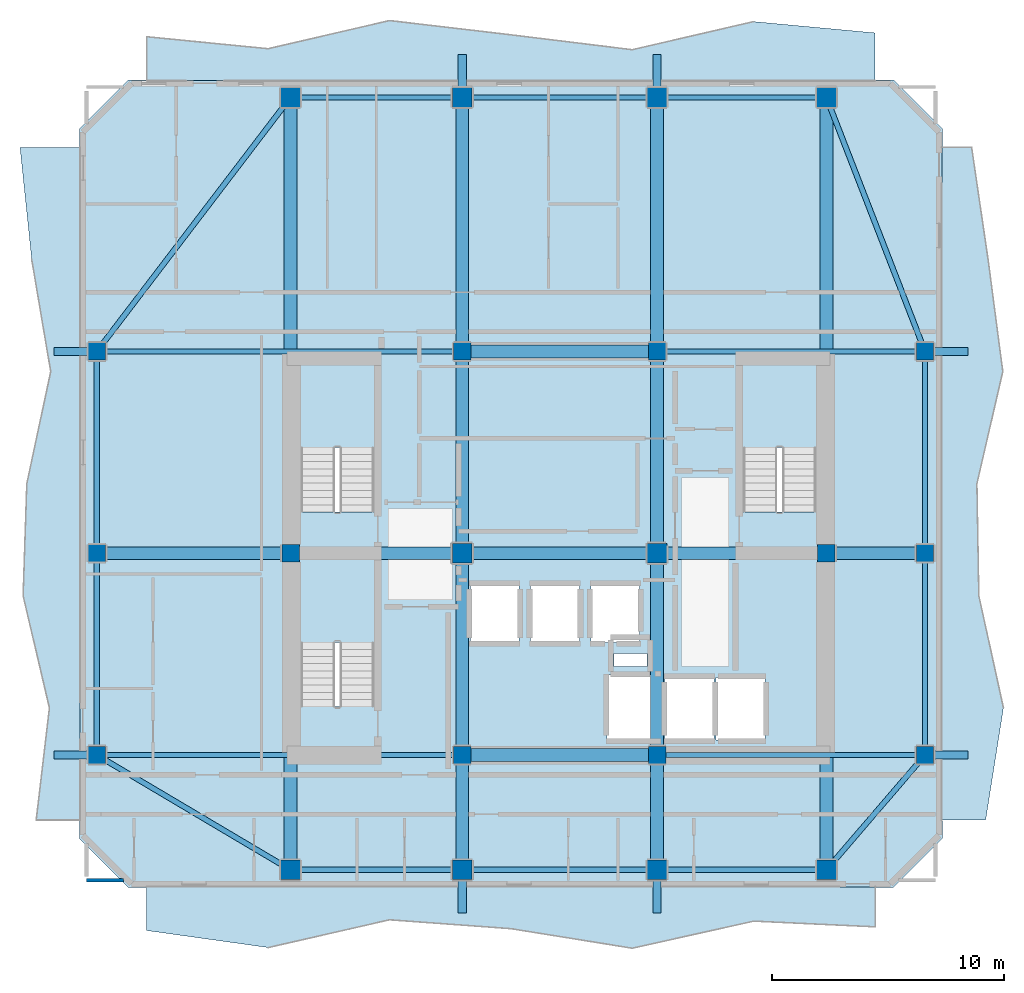
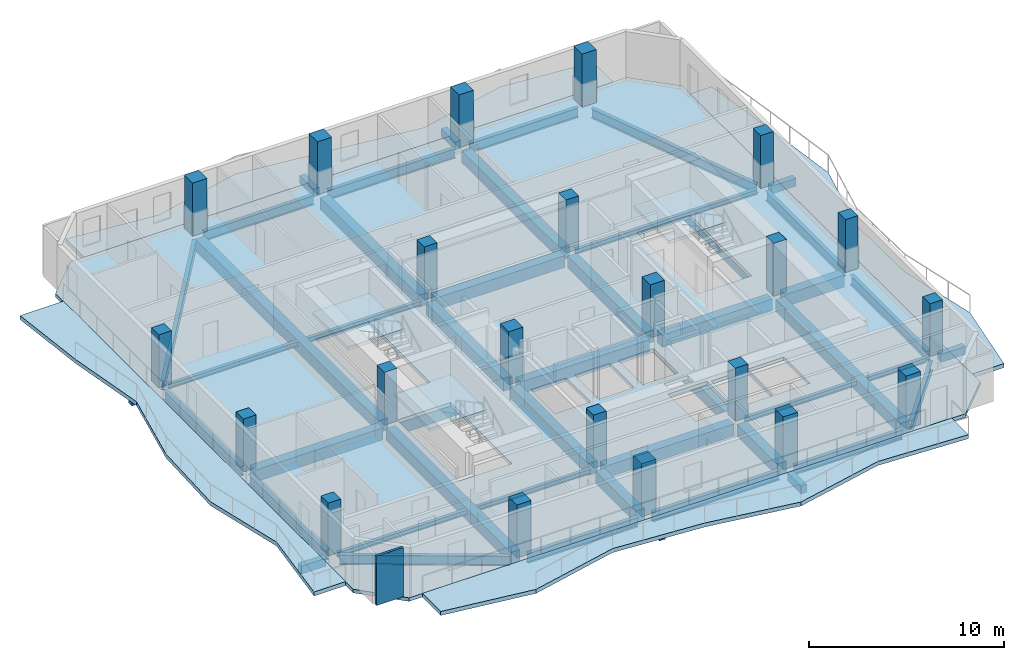
# One storey, part 1 of 10: 45 beams, 22 columns, 8 slabs, 1 wall, 3 elements without a shape of their own.
"""IFC4 building model written with IfcOpenShell, lengths in metres."""

from ifc_helpers import new_model, si_unit, direction, frame, frame_2d, origin, origin_2d, place, context, subcontext, project, spatial, polyline, rectangle, i_section, outline, extrude, material, layer, layer_set, material_profile, profile_set, type_object, element, aggregate, save


model = new_model("IFC4")

# Units and contexts
model_context = context("Model", 3, precision=1e-05, world=origin(), true_north=direction((0.0, 1.0)))
body_context = subcontext(model_context, "Body", "Model", "MODEL_VIEW")
ifc_project = project(units=[si_unit("LENGTHUNIT", "METRE"), si_unit("AREAUNIT", "SQUARE_METRE"), si_unit("VOLUMEUNIT", "CUBIC_METRE"), si_unit("PLANEANGLEUNIT", "RADIAN"), si_unit("MASSUNIT", "GRAM", prefix="KILO")], contexts=[model_context])

# Site, building, storey
site_placement = place(None, origin())
site = spatial("IfcSite", under=ifc_project, at=site_placement, CompositionType="ELEMENT")
building_placement = place(site_placement, origin())
building = spatial("IfcBuilding", under=site, at=building_placement, Name="Solanera Arch Residences", CompositionType="ELEMENT")
storey_placement = place(building_placement, frame((0.0, 0.0, 265.56005859375)))
storey = spatial("IfcBuildingStorey", under=building, at=storey_placement, Name="L77", CompositionType="ELEMENT", Elevation=265.56005859375)

# Columns
ifc_material_1 = material(Name="Concrete C40/50 (f'c = 45 MPa)", Category="concrete")
ifc_material_profile_1 = material_profile(ifc_material_1, rectangle(XDim=0.75, YDim=0.75, at=origin_2d()))
ifc_profile_set_1 = profile_set([ifc_material_profile_1], Name="Concrete C40/50 (f'c = 45 MPa)")
column_type_1 = type_object("IfcColumnType", Name="Structural Column RC-COL-750X750", PredefinedType="COLUMN", material=ifc_profile_set_1)
for number, where, z_axis, x_axis, name in (
    (1, (20.800048828125, 22.0, 0.0), (0.0, 0.0, 1.0), (1.0, 0.0, 0.0), "COL-L77-CB-SW"),
    (2, (29.199951171875, 22.0, 0.0), (0.0, 0.0, 1.0), (1.0, 0.0, 0.0), "COL-L77-CB-SE"),
    (3, (20.800048828125, 39.39990234375, 0.0), (0.0, 0.0, 1.0), (1.0, 0.0, 0.0), "COL-L77-CB-NW"),
    (4, (29.199951171875, 39.39990234375, 0.0), (0.0, 0.0, 1.0), (1.0, 0.0, 0.0), "COL-L77-CB-NE"),
    (5, (13.39990234375, 30.699951171875, 0.0), (0.0, 0.0, 1.0), (1.0, 0.0, 0.0), "COL-L77-CB-WW"),
    (6, (36.5, 30.699951171875, 0.0), (0.0, 0.0, 1.0), (1.0, 0.0, 0.0), "COL-L77-CB-EE"),
    (7, (5.050048828125, 22.0, 0.0), (0.0, 0.0, 1.0), (1.0, 0.0, 0.0), "COL-L77-TWR-09"),
    (8, (40.75, 22.0, 0.0), (0.0, 0.0, 1.0), (1.0, 0.0, 0.0), "COL-L77-TWR-10"),
    (9, (5.050048828125, 30.699951171875, 0.0), (0.0, 0.0, 1.0), (1.0, 0.0, 0.0), "COL-L77-TWR-11"),
    (10, (40.75, 30.699951171875, 0.0), (0.0, 0.0, 1.0), (1.0, 0.0, 0.0), "COL-L77-TWR-12"),
    (11, (5.050048828125, 39.39990234375, 0.0), (0.0, 0.0, 1.0), (1.0, 0.0, 0.0), "COL-L77-TWR-13"),
    (12, (40.75, 39.39990234375, 0.0), (0.0, 0.0, 1.0), (1.0, 0.0, 0.0), "COL-L77-TWR-14"),
):
    element("IfcColumn", number, at=place(storey_placement, frame(where, z_axis=z_axis, x_axis=x_axis)), inside=storey, type_object=column_type_1, Name=name, PredefinedType="COLUMN", context=body_context, shape_type="SweptSolid", body=[
        extrude(rectangle(XDim=0.75, YDim=0.75, at=origin_2d()), origin(), (0.0, 0.0, 1.0), 3.31982421875),
    ])
ifc_material_2 = material(Name="Concrete C40/50 (f'c = 45 MPa)", Category="concrete")
ifc_material_profile_2 = material_profile(ifc_material_2, rectangle(XDim=0.85009765625, YDim=0.85009765625, at=origin_2d()))
ifc_profile_set_2 = profile_set([ifc_material_profile_2], Name="Concrete C40/50 (f'c = 45 MPa)")
column_type_2 = type_object("IfcColumnType", Name="Structural Column RC-COL-850X850", PredefinedType="COLUMN", material=ifc_profile_set_2)
for number, where, z_axis, x_axis, name in (
    (13, (20.800048828125, 30.699951171875, 0.0), (0.0, 0.0, 1.0), (1.0, 0.0, 0.0), "COL-L77-CORE-W"),
    (14, (29.199951171875, 30.699951171875, 0.0), (0.0, 0.0, 1.0), (1.0, 0.0, 0.0), "COL-L77-CORE-E"),
    (15, (13.39990234375, 17.050048828125, 0.0), (0.0, 0.0, 1.0), (1.0, 0.0, 0.0), "COL-L77-TWR-01"),
    (16, (13.39990234375, 50.35009765625, 0.0), (0.0, 0.0, 1.0), (1.0, 0.0, 0.0), "COL-L77-TWR-02"),
    (17, (20.800048828125, 17.050048828125, 0.0), (0.0, 0.0, 1.0), (1.0, 0.0, 0.0), "COL-L77-TWR-03"),
    (18, (20.800048828125, 50.35009765625, 0.0), (0.0, 0.0, 1.0), (1.0, 0.0, 0.0), "COL-L77-TWR-04"),
    (19, (29.199951171875, 17.050048828125, 0.0), (0.0, 0.0, 1.0), (1.0, 0.0, 0.0), "COL-L77-TWR-05"),
    (20, (29.199951171875, 50.35009765625, 0.0), (0.0, 0.0, 1.0), (1.0, 0.0, 0.0), "COL-L77-TWR-06"),
    (21, (36.5, 17.050048828125, 0.0), (0.0, 0.0, 1.0), (1.0, 0.0, 0.0), "COL-L77-TWR-07"),
    (22, (36.5, 50.35009765625, 0.0), (0.0, 0.0, 1.0), (1.0, 0.0, 0.0), "COL-L77-TWR-08"),
):
    element("IfcColumn", number, at=place(storey_placement, frame(where, z_axis=z_axis, x_axis=x_axis)), inside=storey, type_object=column_type_2, Name=name, PredefinedType="COLUMN", context=body_context, shape_type="SweptSolid", body=[
        extrude(rectangle(XDim=0.85009765625, YDim=0.85009765625, at=origin_2d()), origin(), (0.0, 0.0, 1.0), 3.31982421875),
    ])

# Beams
ifc_material_3 = material(Name="Concrete C40/50 (f'c = 45 MPa)", Category="concrete")
ifc_material_profile_3 = material_profile(ifc_material_3, rectangle(XDim=0.35009765625, YDim=0.5, at=origin_2d()))
ifc_profile_set_3 = profile_set([ifc_material_profile_3], Name="Concrete C40/50 (f'c = 45 MPa)")
beam_type_1 = type_object("IfcBeamType", Name="BM-BALC-RIB", PredefinedType="BEAM", material=ifc_profile_set_3)
for number, where, z_axis, x_axis, name in (
    (23, (20.800048828125, 15.199951171875, -0.5), (0.0, 1.0, 0.0), (-1.0, 0.0, 0.0), "BM-L77-BRIB-S1"),
    (24, (29.199951171875, 15.199951171875, -0.5), (0.0, 1.0, 0.0), (-1.0, 0.0, 0.0), "BM-L77-BRIB-S2"),
    (25, (20.800048828125, 50.77490234375, -0.5), (0.0, 1.0, 0.0), (-1.0, 0.0, 0.0), "BM-L77-BRIB-N1"),
    (26, (29.199951171875, 50.77490234375, -0.5), (0.0, 1.0, 0.0), (-1.0, 0.0, 0.0), "BM-L77-BRIB-N2"),
):
    element("IfcBeam", number, at=place(storey_placement, frame(where, z_axis=z_axis, x_axis=x_axis)), inside=storey, type_object=beam_type_1, Name=name, PredefinedType="BEAM", context=body_context, shape_type="SweptSolid", body=[
        extrude(rectangle(XDim=0.35009765625, YDim=0.5, at=origin_2d()), origin(), (0.0, 0.0, 1.0), 1.425048828125),
    ])
for number, where, z_axis, x_axis, name in (
    (27, (41.125, 22.0, -0.5), (1.0, 0.0, 0.0), (0.0, 1.0, 0.0), "BM-L77-BRIB-E1"),
    (28, (41.125, 39.39990234375, -0.5), (1.0, 0.0, 0.0), (0.0, 1.0, 0.0), "BM-L77-BRIB-E2"),
    (29, (3.199951171875, 22.0, -0.5), (1.0, 0.0, 0.0), (0.0, 1.0, 0.0), "BM-L77-BRIB-W1"),
    (30, (3.199951171875, 39.39990234375, -0.5), (1.0, 0.0, 0.0), (0.0, 1.0, 0.0), "BM-L77-BRIB-W2"),
):
    element("IfcBeam", number, at=place(storey_placement, frame(where, z_axis=z_axis, x_axis=x_axis)), inside=storey, type_object=beam_type_1, Name=name, PredefinedType="BEAM", context=body_context, shape_type="SweptSolid", body=[
        extrude(rectangle(XDim=0.35009765625, YDim=0.5, at=origin_2d()), origin(), (0.0, 0.0, 1.0), 1.47509765625),
    ])
ifc_material_4 = material(Name="Concrete C40/50 (f'c = 45 MPa)", Category="concrete")
ifc_material_profile_4 = material_profile(ifc_material_4, rectangle(XDim=0.550048828125, YDim=0.75, at=origin_2d()))
ifc_profile_set_4 = profile_set([ifc_material_profile_4], Name="Concrete C40/50 (f'c = 45 MPa)")
beam_type_2 = type_object("IfcBeamType", Name="Primary Beam RC-BM-550X750", PredefinedType="BEAM", material=ifc_profile_set_4)
beam_1_placement = place(storey_placement, frame((20.800048828125, 22.37890625, -0.594970703125), z_axis=(0.0, 1.0, 0.0), x_axis=(-1.0, 0.0, 0.0)))
element("IfcBeam", 31, at=beam_1_placement, inside=storey, type_object=beam_type_2, Name="BM-L77-CC-S-208", PredefinedType="BEAM", context=body_context, shape_type="SweptSolid", body=[
    extrude(rectangle(XDim=0.550048828125, YDim=0.75, at=origin_2d()), origin(), (0.0, 0.0, 1.0), 7.942138671875),
])
beam_2_placement = place(storey_placement, frame((20.800048828125, 31.0791015625, -0.594970703125), z_axis=(0.0, 1.0, 0.0), x_axis=(-1.0, 0.0, 0.0)))
element("IfcBeam", 32, at=beam_2_placement, inside=storey, type_object=beam_type_2, Name="BM-L77-CC-N-208", PredefinedType="BEAM", context=body_context, shape_type="SweptSolid", body=[
    extrude(rectangle(XDim=0.550048828125, YDim=0.75, at=origin_2d()), origin(), (0.0, 0.0, 1.0), 7.94189453125),
])
beam_3_placement = place(storey_placement, frame((29.199951171875, 22.37890625, -0.594970703125), z_axis=(0.0, 1.0, 0.0), x_axis=(-1.0, 0.0, 0.0)))
element("IfcBeam", 33, at=beam_3_placement, inside=storey, type_object=beam_type_2, Name="BM-L77-CC-S-292", PredefinedType="BEAM", context=body_context, shape_type="SweptSolid", body=[
    extrude(rectangle(XDim=0.550048828125, YDim=0.75, at=origin_2d()), origin(), (0.0, 0.0, 1.0), 7.942138671875),
])
beam_4_placement = place(storey_placement, frame((29.199951171875, 31.0791015625, -0.594970703125), z_axis=(0.0, 1.0, 0.0), x_axis=(-1.0, 0.0, 0.0)))
element("IfcBeam", 34, at=beam_4_placement, inside=storey, type_object=beam_type_2, Name="BM-L77-CC-N-292", PredefinedType="BEAM", context=body_context, shape_type="SweptSolid", body=[
    extrude(rectangle(XDim=0.550048828125, YDim=0.75, at=origin_2d()), origin(), (0.0, 0.0, 1.0), 7.94189453125),
])
for number, where, z_axis, x_axis, name in (
    (35, (21.178955078125, 22.0, -0.594970703125), (1.0, 0.0, 0.0), (0.0, 1.0, 0.0), "BM-L77-CC-M-220"),
    (36, (21.178955078125, 30.699951171875, -0.594970703125), (1.0, 0.0, 0.0), (0.0, 1.0, 0.0), "BM-L77-CC-M-307"),
    (37, (21.178955078125, 39.39990234375, -0.594970703125), (1.0, 0.0, 0.0), (0.0, 1.0, 0.0), "BM-L77-CC-M-394"),
):
    element("IfcBeam", number, at=place(storey_placement, frame(where, z_axis=z_axis, x_axis=x_axis)), inside=storey, type_object=beam_type_2, Name=name, PredefinedType="BEAM", context=body_context, shape_type="SweptSolid", body=[
        extrude(rectangle(XDim=0.550048828125, YDim=0.75, at=origin_2d()), origin(), (0.0, 0.0, 1.0), 7.64208984375),
    ])
beam_5_placement = place(storey_placement, frame((13.779052734375, 30.699951171875, -0.594970703125), z_axis=(1.0, 0.0, 0.0), x_axis=(0.0, 1.0, 0.0)))
element("IfcBeam", 38, at=beam_5_placement, inside=storey, type_object=beam_type_2, Name="BM-L77-CC-W", PredefinedType="BEAM", context=body_context, shape_type="SweptSolid", body=[
    extrude(rectangle(XDim=0.550048828125, YDim=0.75, at=origin_2d()), origin(), (0.0, 0.0, 1.0), 6.641845703125),
])
beam_6_placement = place(storey_placement, frame((29.5791015625, 30.699951171875, -0.594970703125), z_axis=(1.0, 0.0, 0.0), x_axis=(0.0, 1.0, 0.0)))
element("IfcBeam", 39, at=beam_6_placement, inside=storey, type_object=beam_type_2, Name="BM-L77-CC-E", PredefinedType="BEAM", context=body_context, shape_type="SweptSolid", body=[
    extrude(rectangle(XDim=0.550048828125, YDim=0.75, at=origin_2d()), origin(), (0.0, 0.0, 1.0), 6.5419921875),
])
beam_7_placement = place(storey_placement, frame((20.800048828125, 17.47900390625, -0.594970703125), z_axis=(0.0, 1.0, 0.0), x_axis=(-1.0, 0.0, 0.0)))
element("IfcBeam", 40, at=beam_7_placement, inside=storey, type_object=beam_type_2, Name="BM-L77-RAD-S-208", PredefinedType="BEAM", context=body_context, shape_type="SweptSolid", body=[
    extrude(rectangle(XDim=0.550048828125, YDim=0.75, at=origin_2d()), origin(), (0.0, 0.0, 1.0), 4.14208984375),
])
beam_8_placement = place(storey_placement, frame((20.800048828125, 39.779052734375, -0.594970703125), z_axis=(0.0, 1.0, 0.0), x_axis=(-1.0, 0.0, 0.0)))
element("IfcBeam", 41, at=beam_8_placement, inside=storey, type_object=beam_type_2, Name="BM-L77-RAD-N-208", PredefinedType="BEAM", context=body_context, shape_type="SweptSolid", body=[
    extrude(rectangle(XDim=0.550048828125, YDim=0.75, at=origin_2d()), origin(), (0.0, 0.0, 1.0), 10.141845703125),
])
beam_9_placement = place(storey_placement, frame((29.199951171875, 17.47900390625, -0.594970703125), z_axis=(0.0, 1.0, 0.0), x_axis=(-1.0, 0.0, 0.0)))
element("IfcBeam", 42, at=beam_9_placement, inside=storey, type_object=beam_type_2, Name="BM-L77-RAD-S-292", PredefinedType="BEAM", context=body_context, shape_type="SweptSolid", body=[
    extrude(rectangle(XDim=0.550048828125, YDim=0.75, at=origin_2d()), origin(), (0.0, 0.0, 1.0), 4.14208984375),
])
beam_10_placement = place(storey_placement, frame((29.199951171875, 39.779052734375, -0.594970703125), z_axis=(0.0, 1.0, 0.0), x_axis=(-1.0, 0.0, 0.0)))
element("IfcBeam", 43, at=beam_10_placement, inside=storey, type_object=beam_type_2, Name="BM-L77-RAD-N-292", PredefinedType="BEAM", context=body_context, shape_type="SweptSolid", body=[
    extrude(rectangle(XDim=0.550048828125, YDim=0.75, at=origin_2d()), origin(), (0.0, 0.0, 1.0), 10.141845703125),
])
beam_11_placement = place(storey_placement, frame((13.39990234375, 17.47900390625, -0.594970703125), z_axis=(0.0, 1.0, 0.0), x_axis=(-1.0, 0.0, 0.0)))
element("IfcBeam", 44, at=beam_11_placement, inside=storey, type_object=beam_type_2, Name="BM-L77-RAD-OS-134", PredefinedType="BEAM", context=body_context, shape_type="SweptSolid", body=[
    extrude(rectangle(XDim=0.550048828125, YDim=0.75, at=origin_2d()), origin(), (0.0, 0.0, 1.0), 12.842041015625),
])
beam_12_placement = place(storey_placement, frame((13.39990234375, 31.0791015625, -0.594970703125), z_axis=(0.0, 1.0, 0.0), x_axis=(-1.0, 0.0, 0.0)))
element("IfcBeam", 45, at=beam_12_placement, inside=storey, type_object=beam_type_2, Name="BM-L77-RAD-ON-134", PredefinedType="BEAM", context=body_context, shape_type="SweptSolid", body=[
    extrude(rectangle(XDim=0.550048828125, YDim=0.75, at=origin_2d()), origin(), (0.0, 0.0, 1.0), 18.841796875),
])
beam_13_placement = place(storey_placement, frame((36.5, 17.47900390625, -0.594970703125), z_axis=(0.0, 1.0, 0.0), x_axis=(-1.0, 0.0, 0.0)))
element("IfcBeam", 46, at=beam_13_placement, inside=storey, type_object=beam_type_2, Name="BM-L77-RAD-OS-365", PredefinedType="BEAM", context=body_context, shape_type="SweptSolid", body=[
    extrude(rectangle(XDim=0.550048828125, YDim=0.75, at=origin_2d()), origin(), (0.0, 0.0, 1.0), 12.842041015625),
])
beam_14_placement = place(storey_placement, frame((36.5, 31.0791015625, -0.594970703125), z_axis=(0.0, 1.0, 0.0), x_axis=(-1.0, 0.0, 0.0)))
element("IfcBeam", 47, at=beam_14_placement, inside=storey, type_object=beam_type_2, Name="BM-L77-RAD-ON-365", PredefinedType="BEAM", context=body_context, shape_type="SweptSolid", body=[
    extrude(rectangle(XDim=0.550048828125, YDim=0.75, at=origin_2d()), origin(), (0.0, 0.0, 1.0), 18.841796875),
])
beam_15_placement = place(storey_placement, frame((5.428955078125, 30.699951171875, -0.594970703125), z_axis=(1.0, 0.0, 0.0), x_axis=(0.0, 1.0, 0.0)))
element("IfcBeam", 48, at=beam_15_placement, inside=storey, type_object=beam_type_2, Name="BM-L77-RAD-MW", PredefinedType="BEAM", context=body_context, shape_type="SweptSolid", body=[
    extrude(rectangle(XDim=0.550048828125, YDim=0.75, at=origin_2d()), origin(), (0.0, 0.0, 1.0), 7.592041015625),
])
beam_16_placement = place(storey_placement, frame((36.87890625, 30.699951171875, -0.594970703125), z_axis=(1.0, 0.0, 0.0), x_axis=(0.0, 1.0, 0.0)))
element("IfcBeam", 49, at=beam_16_placement, inside=storey, type_object=beam_type_2, Name="BM-L77-RAD-ME", PredefinedType="BEAM", context=body_context, shape_type="SweptSolid", body=[
    extrude(rectangle(XDim=0.550048828125, YDim=0.75, at=origin_2d()), origin(), (0.0, 0.0, 1.0), 3.4921875),
])
ifc_material_5 = material(Name="Steel S355 (ASTM A992 / A572 Grade 50)", Category="steel")
ifc_material_profile_5 = material_profile(ifc_material_5, i_section(OverallWidth=0.202880859375, OverallDepth=0.302978515625, WebThickness=0.007568359375, FlangeThickness=0.01318359375, at=origin_2d()))
ifc_profile_set_5 = profile_set([ifc_material_profile_5], Name="Steel S355 (ASTM A992 / A572 Grade 50)")
beam_type_3 = type_object("IfcBeamType", Name="Secondary Joist W310X60", PredefinedType="JOIST", material=ifc_profile_set_5)
beam_17_placement = place(storey_placement, frame((5.428955078125, 22.0, -0.3720703125), z_axis=(1.0, 0.0, 0.0), x_axis=(0.0, 1.0, 0.0)))
element("IfcBeam", 50, at=beam_17_placement, inside=storey, type_object=beam_type_3, Name="BM-L77-RAD-W-220", PredefinedType="JOIST", context=body_context, shape_type="SweptSolid", body=[
    extrude(i_section(OverallWidth=0.202880859375, OverallDepth=0.302978515625, WebThickness=0.007568359375, FlangeThickness=0.01318359375, at=origin_2d()), origin(), (0.0, 0.0, 1.0), 14.991943359375),
])
beam_18_placement = place(storey_placement, frame((29.5791015625, 22.0, -0.3720703125), z_axis=(1.0, 0.0, 0.0), x_axis=(0.0, 1.0, 0.0)))
element("IfcBeam", 51, at=beam_18_placement, inside=storey, type_object=beam_type_3, Name="BM-L77-RAD-E-220", PredefinedType="JOIST", context=body_context, shape_type="SweptSolid", body=[
    extrude(i_section(OverallWidth=0.202880859375, OverallDepth=0.302978515625, WebThickness=0.007568359375, FlangeThickness=0.01318359375, at=origin_2d()), origin(), (0.0, 0.0, 1.0), 10.7919921875),
])
beam_19_placement = place(storey_placement, frame((5.428955078125, 39.39990234375, -0.3720703125), z_axis=(1.0, 0.0, 0.0), x_axis=(0.0, 1.0, 0.0)))
element("IfcBeam", 52, at=beam_19_placement, inside=storey, type_object=beam_type_3, Name="BM-L77-RAD-W-394", PredefinedType="JOIST", context=body_context, shape_type="SweptSolid", body=[
    extrude(i_section(OverallWidth=0.202880859375, OverallDepth=0.302978515625, WebThickness=0.007568359375, FlangeThickness=0.01318359375, at=origin_2d()), origin(), (0.0, 0.0, 1.0), 14.991943359375),
])
beam_20_placement = place(storey_placement, frame((29.5791015625, 39.39990234375, -0.3720703125), z_axis=(1.0, 0.0, 0.0), x_axis=(0.0, 1.0, 0.0)))
element("IfcBeam", 53, at=beam_20_placement, inside=storey, type_object=beam_type_3, Name="BM-L77-RAD-E-394", PredefinedType="JOIST", context=body_context, shape_type="SweptSolid", body=[
    extrude(i_section(OverallWidth=0.202880859375, OverallDepth=0.302978515625, WebThickness=0.007568359375, FlangeThickness=0.01318359375, at=origin_2d()), origin(), (0.0, 0.0, 1.0), 10.7919921875),
])
ifc_material_6 = material(Name="Steel S355 (ASTM A992 / A572 Grade 50)", Category="steel")
ifc_material_profile_6 = material_profile(ifc_material_6, i_section(OverallWidth=0.22802734375, OverallDepth=0.60791015625, WebThickness=0.01123046875, FlangeThickness=0.017333984375, at=origin_2d()))
ifc_profile_set_6 = profile_set([ifc_material_profile_6], Name="Steel S355 (ASTM A992 / A572 Grade 50)")
beam_type_4 = type_object("IfcBeamType", Name="Spandrel Beam W610X113", PredefinedType="SPANDREL", material=ifc_profile_set_6)
for number, where, z_axis, x_axis, name in (
    (54, (13.8291015625, 17.050048828125, -0.524169921875), (1.0, 0.0, 0.0), (0.0, 1.0, 0.0), "BM-L77-SPN-S-1"),
    (55, (13.8291015625, 50.35009765625, -0.524169921875), (1.0, 0.0, 0.0), (0.0, 1.0, 0.0), "BM-L77-SPN-N-1"),
):
    element("IfcBeam", number, at=place(storey_placement, frame(where, z_axis=z_axis, x_axis=x_axis)), inside=storey, type_object=beam_type_4, Name=name, PredefinedType="SPANDREL", context=body_context, shape_type="SweptSolid", body=[
        extrude(i_section(OverallWidth=0.22802734375, OverallDepth=0.60791015625, WebThickness=0.01123046875, FlangeThickness=0.017333984375, at=origin_2d()), origin(), (0.0, 0.0, 1.0), 6.5419921875),
    ])
for number, where, z_axis, x_axis, name in (
    (56, (21.22900390625, 17.050048828125, -0.524169921875), (1.0, 0.0, 0.0), (0.0, 1.0, 0.0), "BM-L77-SPN-S-2"),
    (57, (21.22900390625, 50.35009765625, -0.524169921875), (1.0, 0.0, 0.0), (0.0, 1.0, 0.0), "BM-L77-SPN-N-2"),
):
    element("IfcBeam", number, at=place(storey_placement, frame(where, z_axis=z_axis, x_axis=x_axis)), inside=storey, type_object=beam_type_4, Name=name, PredefinedType="SPANDREL", context=body_context, shape_type="SweptSolid", body=[
        extrude(i_section(OverallWidth=0.22802734375, OverallDepth=0.60791015625, WebThickness=0.01123046875, FlangeThickness=0.017333984375, at=origin_2d()), origin(), (0.0, 0.0, 1.0), 7.5419921875),
    ])
for number, where, z_axis, x_axis, name in (
    (58, (29.62890625, 17.050048828125, -0.524169921875), (1.0, 0.0, 0.0), (0.0, 1.0, 0.0), "BM-L77-SPN-S-3"),
    (59, (29.62890625, 50.35009765625, -0.524169921875), (1.0, 0.0, 0.0), (0.0, 1.0, 0.0), "BM-L77-SPN-N-3"),
):
    element("IfcBeam", number, at=place(storey_placement, frame(where, z_axis=z_axis, x_axis=x_axis)), inside=storey, type_object=beam_type_4, Name=name, PredefinedType="SPANDREL", context=body_context, shape_type="SweptSolid", body=[
        extrude(i_section(OverallWidth=0.22802734375, OverallDepth=0.60791015625, WebThickness=0.01123046875, FlangeThickness=0.017333984375, at=origin_2d()), origin(), (0.0, 0.0, 1.0), 6.442138671875),
    ])
for number, where, z_axis, x_axis, name in (
    (60, (5.050048828125, 22.37890625, -0.524169921875), (0.0, 1.0, 0.0), (-1.0, 0.0, 0.0), "BM-L77-SPN-W-1"),
    (61, (40.75, 22.37890625, -0.524169921875), (0.0, 1.0, 0.0), (-1.0, 0.0, 0.0), "BM-L77-SPN-E-1"),
):
    element("IfcBeam", number, at=place(storey_placement, frame(where, z_axis=z_axis, x_axis=x_axis)), inside=storey, type_object=beam_type_4, Name=name, PredefinedType="SPANDREL", context=body_context, shape_type="SweptSolid", body=[
        extrude(i_section(OverallWidth=0.22802734375, OverallDepth=0.60791015625, WebThickness=0.01123046875, FlangeThickness=0.017333984375, at=origin_2d()), origin(), (0.0, 0.0, 1.0), 7.942138671875),
    ])
for number, where, z_axis, x_axis, name in (
    (62, (5.050048828125, 31.0791015625, -0.524169921875), (0.0, 1.0, 0.0), (-1.0, 0.0, 0.0), "BM-L77-SPN-W-2"),
    (63, (40.75, 31.0791015625, -0.524169921875), (0.0, 1.0, 0.0), (-1.0, 0.0, 0.0), "BM-L77-SPN-E-2"),
):
    element("IfcBeam", number, at=place(storey_placement, frame(where, z_axis=z_axis, x_axis=x_axis)), inside=storey, type_object=beam_type_4, Name=name, PredefinedType="SPANDREL", context=body_context, shape_type="SweptSolid", body=[
        extrude(i_section(OverallWidth=0.22802734375, OverallDepth=0.60791015625, WebThickness=0.01123046875, FlangeThickness=0.017333984375, at=origin_2d()), origin(), (0.0, 0.0, 1.0), 7.94189453125),
    ])
beam_21_placement = place(storey_placement, frame((12.971923828125, 17.303955078125, -0.524169921875), z_axis=(-0.860219624606, 0.509923717278, 0.0), x_axis=(-0.509923717278, -0.860219624606, 0.0)))
element("IfcBeam", 64, at=beam_21_placement, inside=storey, type_object=beam_type_4, Name="BM-L77-SPN-SW", PredefinedType="SPANDREL", context=body_context, shape_type="SweptSolid", body=[
    extrude(i_section(OverallWidth=0.22802734375, OverallDepth=0.60791015625, WebThickness=0.01123046875, FlangeThickness=0.017333984375, at=origin_2d()), origin(), (0.0, 0.0, 1.0), 8.769775390625),
])
beam_22_placement = place(storey_placement, frame((13.072998046875, 49.922119140625, -0.524169921875), z_axis=(-0.606356271812, -0.795193103362, 0.0), x_axis=(0.795193103362, -0.606356271812, 0.0)))
element("IfcBeam", 65, at=beam_22_placement, inside=storey, type_object=beam_type_4, Name="BM-L77-SPN-NW", PredefinedType="SPANDREL", context=body_context, shape_type="SweptSolid", body=[
    extrude(i_section(OverallWidth=0.22802734375, OverallDepth=0.60791015625, WebThickness=0.01123046875, FlangeThickness=0.017333984375, at=origin_2d()), origin(), (0.0, 0.0, 1.0), 12.756591796875),
])
beam_23_placement = place(storey_placement, frame((36.85205078125, 17.4599609375, -0.524169921875), z_axis=(0.651366641781, 0.758763136937, 0.0), x_axis=(-0.758763136937, 0.651366641781, 0.0)))
element("IfcBeam", 66, at=beam_23_placement, inside=storey, type_object=beam_type_4, Name="BM-L77-SPN-SE", PredefinedType="SPANDREL", context=body_context, shape_type="SweptSolid", body=[
    extrude(i_section(OverallWidth=0.22802734375, OverallDepth=0.60791015625, WebThickness=0.01123046875, FlangeThickness=0.017333984375, at=origin_2d()), origin(), (0.0, 0.0, 1.0), 5.4853515625),
])
beam_24_placement = place(storey_placement, frame((36.666015625, 49.9208984375, -0.524169921875), z_axis=(0.361884146567, -0.932223076556, 0.0), x_axis=(0.932223076556, 0.361884146567, 0.0)))
element("IfcBeam", 67, at=beam_24_placement, inside=storey, type_object=beam_type_4, Name="BM-L77-SPN-NE", PredefinedType="SPANDREL", context=body_context, shape_type="SweptSolid", body=[
    extrude(i_section(OverallWidth=0.22802734375, OverallDepth=0.60791015625, WebThickness=0.01123046875, FlangeThickness=0.017333984375, at=origin_2d()), origin(), (0.0, 0.0, 1.0), 10.879150390625),
])

# Slabs
ifc_material_7 = material(Name="Concrete C40/50 (f'c = 45 MPa)", Category="concrete")
ifc_layer_1 = layer(ifc_material_7, 0.25)
ifc_layer_set_1 = layer_set([ifc_layer_1], Name="Concrete C40/50 (f'c = 45 MPa)")
slab_type_1 = type_object("IfcSlabType", Name="Balcony Slab 250", PredefinedType="FLOOR", material=ifc_layer_set_1)
slab_1_placement = place(storey_placement, frame((0.0, 0.0, -0.25)))
element("IfcSlab", 68, at=slab_1_placement, inside=storey, type_object=slab_type_1, Name="L77 S Rippling Brise-Soleil Balcony Slab", PredefinedType="FLOOR", context=body_context, shape_type="SweptSolid", body=[
    extrude(outline(polyline([(7.199951171875, 14.43408203125), (12.43310546875, 13.700927734375), (17.6669921875, 14.89990234375), (22.89990234375, 14.51708984375), (28.133056640625, 13.674072265625), (33.366943359375, 14.842041015625), (38.60009765625, 14.596923828125), (38.60009765625, 16.320068359375), (7.199951171875, 16.320068359375), (7.199951171875, 14.43408203125)])), origin(), (0.0, 0.0, 1.0), 0.25),
])
slab_2_placement = place(storey_placement, frame((0.0, 0.0, -0.25)))
element("IfcSlab", 69, at=slab_2_placement, inside=storey, type_object=slab_type_1, Name="L77 N Rippling Brise-Soleil Balcony Slab", PredefinedType="FLOOR", context=body_context, shape_type="SweptSolid", body=[
    extrude(outline(polyline([(38.60009765625, 53.133056640625), (33.366943359375, 53.6201171875), (28.133056640625, 52.406982421875), (22.89990234375, 53.049072265625), (17.6669921875, 53.6640625), (12.43310546875, 52.449951171875), (7.199951171875, 52.966064453125), (7.199951171875, 51.080078125), (38.60009765625, 51.080078125), (38.60009765625, 53.133056640625)])), origin(), (0.0, 0.0, 1.0), 0.25),
])
slab_3_placement = place(storey_placement, frame((0.0, 0.0, -0.25)))
element("IfcSlab", 70, at=slab_3_placement, inside=storey, type_object=slab_type_1, Name="L77 E Rippling Brise-Soleil Balcony Slab", PredefinedType="FLOOR", context=body_context, shape_type="SweptSolid", body=[
    extrude(outline(polyline([(43.365966796875, 19.199951171875), (44.132080078125, 24.032958984375), (43.069091796875, 28.866943359375), (42.986083984375, 33.699951171875), (44.10302734375, 38.532958984375), (43.468017578125, 43.366943359375), (42.759033203125, 48.199951171875), (41.47998046875, 48.199951171875), (41.47998046875, 19.199951171875), (43.365966796875, 19.199951171875)])), origin(), (0.0, 0.0, 1.0), 0.25),
])
slab_4_placement = place(storey_placement, frame((0.0, 0.0, -0.25)))
element("IfcSlab", 71, at=slab_4_placement, inside=storey, type_object=slab_type_1, Name="L77 W Rippling Brise-Soleil Balcony Slab", PredefinedType="FLOOR", context=body_context, shape_type="SweptSolid", body=[
    extrude(outline(polyline([(1.736083984375, 48.199951171875), (2.239990234375, 43.366943359375), (3.06103515625, 38.532958984375), (2.029052734375, 33.699951171875), (1.87109375, 28.866943359375), (3.0048828125, 24.032958984375), (2.43408203125, 19.199951171875), (4.320068359375, 19.199951171875), (4.320068359375, 48.199951171875), (1.736083984375, 48.199951171875)])), origin(), (0.0, 0.0, 1.0), 0.25),
])

# Stair, slab
ifc_material_8 = material(Name="Concrete C40/50 (f'c = 45 MPa)", Category="concrete")
stair_type = type_object("IfcStairType", Name="Tower Dogleg Exit Stair 1480", PredefinedType="HALF_TURN_STAIR", material=ifc_material_8)
stair_1_placement = place(storey_placement, origin())
stair_1 = element("IfcStair", 72, at=stair_1_placement, inside=storey, type_object=stair_type, Name="L77 Tower Core Exit Stair 1", PredefinedType="HALF_TURN_STAIR")
ifc_material_9 = material(Name="Concrete C40/50 (f'c = 45 MPa)", Category="concrete")
ifc_layer_2 = layer(ifc_material_9, 0.199951171875)
ifc_layer_set_2 = layer_set([ifc_layer_2], Name="Concrete C40/50 (f'c = 45 MPa)")
slab_type_2 = type_object("IfcSlabType", Name="Stair Half-Landing Slab 200", PredefinedType="LANDING", material=ifc_layer_set_2)
slab_5_placement = place(storey_placement, frame((0.0, 0.0, 1.4599609375)))
slab_5 = element("IfcSlab", 73, at=slab_5_placement, type_object=slab_type_2, Name="ST-T1 landing 1", PredefinedType="LANDING", context=body_context, shape_type="SweptSolid", body=[
    extrude(outline(polyline([(17.1201171875, 35.260009765625), (17.1201171875, 38.919921875), (13.719970703125, 38.919921875), (13.719970703125, 35.260009765625), (17.1201171875, 35.260009765625)])), origin(), (0.0, 0.0, 1.0), 0.199951171875),
])
aggregate(stair_1, [slab_5])

stair_2_placement = place(storey_placement, origin())
stair_2 = element("IfcStair", 74, at=stair_2_placement, inside=storey, type_object=stair_type, Name="L77 Tower Core Exit Stair 2", PredefinedType="HALF_TURN_STAIR")
slab_6_placement = place(storey_placement, frame((0.0, 0.0, 1.4599609375)))
slab_6 = element("IfcSlab", 75, at=slab_6_placement, type_object=slab_type_2, Name="ST-T2 landing 1", PredefinedType="LANDING", context=body_context, shape_type="SweptSolid", body=[
    extrude(outline(polyline([(36.179931640625, 35.260009765625), (36.179931640625, 38.919921875), (32.780029296875, 38.919921875), (32.780029296875, 35.260009765625), (36.179931640625, 35.260009765625)])), origin(), (0.0, 0.0, 1.0), 0.199951171875),
])
aggregate(stair_2, [slab_6])

stair_3_placement = place(storey_placement, origin())
stair_3 = element("IfcStair", 76, at=stair_3_placement, inside=storey, type_object=stair_type, Name="L77 Tower Core Exit Stair 3", PredefinedType="HALF_TURN_STAIR")
slab_7_placement = place(storey_placement, frame((0.0, 0.0, 1.4599609375)))
slab_7 = element("IfcSlab", 77, at=slab_7_placement, type_object=slab_type_2, Name="ST-T3 landing 1", PredefinedType="LANDING", context=body_context, shape_type="SweptSolid", body=[
    extrude(outline(polyline([(17.1201171875, 26.860107421875), (17.1201171875, 30.52001953125), (13.719970703125, 30.52001953125), (13.719970703125, 26.860107421875), (17.1201171875, 26.860107421875)])), origin(), (0.0, 0.0, 1.0), 0.199951171875),
])
aggregate(stair_3, [slab_7])

# Slab
ifc_material_10 = material(Name="Concrete C40/50 (f'c = 45 MPa)", Category="concrete")
ifc_layer_3 = layer(ifc_material_10, 0.219970703125)
ifc_layer_set_3 = layer_set([ifc_layer_3], Name="Concrete C40/50 (f'c = 45 MPa)")
slab_type_3 = type_object("IfcSlabType", Name="Suspended Floor Slab Post-Tensioned 220", PredefinedType="FLOOR", material=ifc_layer_set_3)
slab_8_placement = place(storey_placement, frame((0.0, 0.0, -0.219970703125)))
element("IfcSlab", 78, at=slab_8_placement, inside=storey, type_object=slab_type_3, Name="L77 Tower Post-Tensioned Floor Slab", PredefinedType="FLOOR", context=body_context, shape_type="SweptSolid", body=[
    extrude(outline(polyline([(6.39990234375, 16.300048828125), (39.39990234375, 16.300048828125), (41.5, 18.39990234375), (41.5, 49.0), (39.39990234375, 51.10009765625), (6.39990234375, 51.10009765625), (4.300048828125, 49.0), (4.300048828125, 18.39990234375), (6.39990234375, 16.300048828125)]), holes=[polyline([(13.840087890625, 32.48291015625), (13.840087890625, 38.800048828125), (17.0, 38.800048828125), (17.0, 32.48291015625), (13.840087890625, 32.48291015625)]), polyline([(32.89990234375, 32.48291015625), (32.89990234375, 38.800048828125), (36.06005859375, 38.800048828125), (36.06005859375, 32.48291015625), (32.89990234375, 32.48291015625)]), polyline([(13.840087890625, 24.0830078125), (13.840087890625, 30.39990234375), (17.0, 30.39990234375), (17.0, 24.0830078125), (13.840087890625, 24.0830078125)]), polyline([(21.14990234375, 29.35009765625), (23.25, 29.35009765625), (23.25, 26.85009765625), (21.14990234375, 26.85009765625), (21.14990234375, 29.35009765625)]), polyline([(23.75, 29.35009765625), (25.85009765625, 29.35009765625), (25.85009765625, 26.85009765625), (23.75, 26.85009765625), (23.75, 29.35009765625)]), polyline([(26.35009765625, 29.35009765625), (28.449951171875, 29.35009765625), (28.449951171875, 26.85009765625), (26.35009765625, 26.85009765625), (26.35009765625, 29.35009765625)]), polyline([(29.550048828125, 25.35009765625), (31.64990234375, 25.35009765625), (31.64990234375, 22.64990234375), (29.550048828125, 22.64990234375), (29.550048828125, 25.35009765625)]), polyline([(31.75, 25.35009765625), (33.85009765625, 25.35009765625), (33.85009765625, 22.64990234375), (31.75, 22.64990234375), (31.75, 25.35009765625)]), polyline([(27.050048828125, 25.449951171875), (29.35009765625, 25.449951171875), (29.35009765625, 22.64990234375), (27.050048828125, 22.64990234375), (27.050048828125, 25.449951171875)]), polyline([(27.340087890625, 26.3798828125), (28.760009765625, 26.3798828125), (28.760009765625, 25.820068359375), (27.340087890625, 25.820068359375), (27.340087890625, 26.3798828125)])]), origin(), (0.0, 0.0, 1.0), 0.219970703125),
])

# Wall
ifc_material_11 = material(Name="Autoclaved Aerated Concrete Blockwork", Category="masonry")
ifc_layer_4 = layer(ifc_material_11, 0.139892578125)
ifc_layer_set_4 = layer_set([ifc_layer_4], Name="Autoclaved Aerated Concrete Blockwork")
wall_type = type_object("IfcWallType", Name="Wet-Room Partition 140", PredefinedType="PARTITIONING", material=ifc_layer_set_4)
wall_placement = place(storey_placement, frame((4.60009765625, 16.60009765625, 0.0), z_axis=(0.0, 0.0, 1.0), x_axis=(1.0, 0.0, 0.0)))
element("IfcWall", 79, at=wall_placement, inside=storey, type_object=wall_type, Name="L77 Interior Partition H13 1", PredefinedType="PARTITIONING", context=body_context, shape_type="SweptSolid", body=[
    extrude(rectangle(XDim=1.5888671875, YDim=0.139892578125, at=frame_2d((0.79443359375, 0.0))), origin(), (0.0, 0.0, 1.0), 3.099853515625),
])

save(model, "model.ifc")
